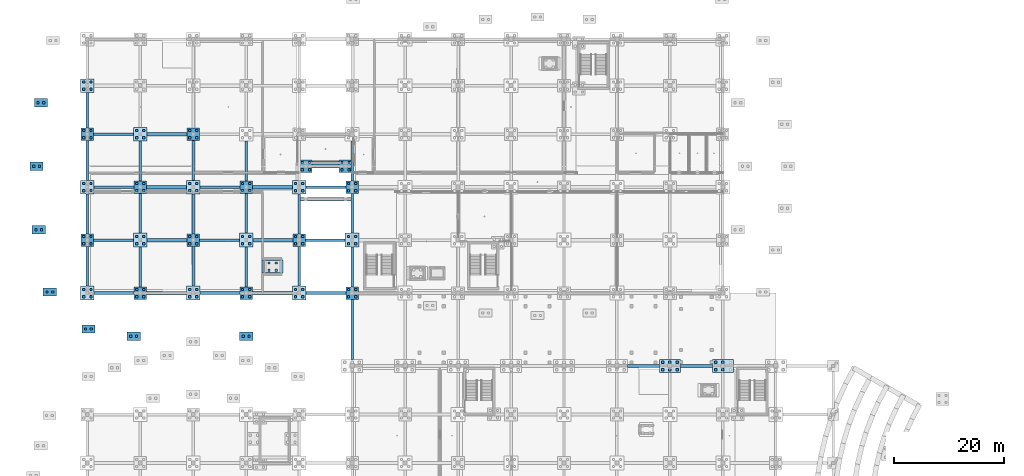
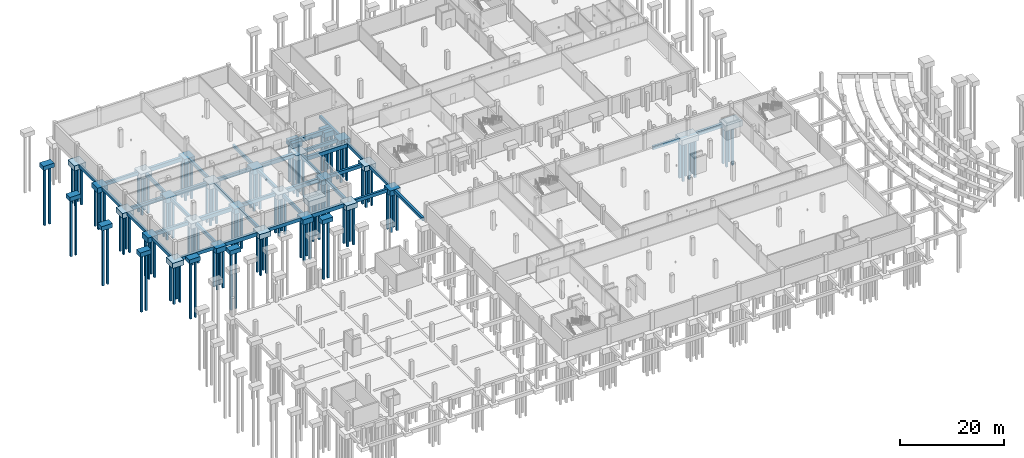
# One storey, part 5 of 31: 124 piles, 75 footings.
"""IFC4 building model written with IfcOpenShell, lengths in metres."""

from ifc_helpers import new_model, si_unit, direction, frame, origin, origin_2d, place, context, subcontext, project, spatial, rectangle, extrude, material, layer, layer_set, material_profile, profile_set, type_object, element, save


model = new_model("IFC4")

# Units and contexts
model_context = context("Model", 3, precision=1e-05, world=origin(), true_north=direction((0.0, 1.0)))
body_context = subcontext(model_context, "Body", "Model", "MODEL_VIEW")
ifc_project = project(units=[si_unit("LENGTHUNIT", "METRE"), si_unit("AREAUNIT", "SQUARE_METRE"), si_unit("VOLUMEUNIT", "CUBIC_METRE"), si_unit("PLANEANGLEUNIT", "RADIAN"), si_unit("MASSUNIT", "GRAM", prefix="KILO")], contexts=[model_context])

# Site, building, storey
site_placement = place(None, origin())
site = spatial("IfcSite", under=ifc_project, at=site_placement, CompositionType="ELEMENT")
building_placement = place(site_placement, origin())
building = spatial("IfcBuilding", under=site, at=building_placement, Name="Chalmorin Arch Market", CompositionType="ELEMENT")
storey_placement = place(building_placement, frame((0.0, 0.0, -4.199951171875)))
storey = spatial("IfcBuildingStorey", under=building, at=storey_placement, Name="B1", CompositionType="ELEMENT", Elevation=-4.199951171875)

# Piles
ifc_material_1 = material(Name="Precast concrete C50/60", Category="concrete")
ifc_material_profile_1 = material_profile(ifc_material_1, rectangle(XDim=0.406005859375, YDim=0.406005859375, at=origin_2d()), Name="PPC406")
ifc_profile_set_1 = profile_set([ifc_material_profile_1], Name="Precast concrete C50/60")
pile_type_1 = type_object("IfcPileType", Name="DrivenSquarePile-406", PredefinedType="DRIVEN", material=ifc_profile_set_1)
for number, where, z_axis, x_axis, name in (
    (1, (-0.64990234375, 71.35009765625, -1.10009765625), (0.0, 0.0, -1.0), (1.0, 0.0, 0.0), "P-406-025"),
    (2, (0.64990234375, 71.35009765625, -1.10009765625), (0.0, 0.0, -1.0), (1.0, 0.0, 0.0), "P-406-026"),
    (3, (-0.64990234375, 72.64990234375, -1.10009765625), (0.0, 0.0, -1.0), (1.0, 0.0, 0.0), "P-406-027"),
    (4, (0.64990234375, 72.64990234375, -1.10009765625), (0.0, 0.0, -1.0), (1.0, 0.0, 0.0), "P-406-028"),
    (5, (-0.64990234375, 80.949951171875, -1.10009765625), (0.0, 0.0, -1.0), (1.0, 0.0, 0.0), "P-406-029"),
    (6, (0.64990234375, 80.949951171875, -1.10009765625), (0.0, 0.0, -1.0), (1.0, 0.0, 0.0), "P-406-030"),
    (7, (-0.64990234375, 82.25, -1.10009765625), (0.0, 0.0, -1.0), (1.0, 0.0, 0.0), "P-406-031"),
    (8, (0.64990234375, 82.25, -1.10009765625), (0.0, 0.0, -1.0), (1.0, 0.0, 0.0), "P-406-032"),
    (9, (-0.64990234375, 90.550048828125, -1.10009765625), (0.0, 0.0, -1.0), (1.0, 0.0, 0.0), "P-406-033"),
    (10, (0.64990234375, 90.550048828125, -1.10009765625), (0.0, 0.0, -1.0), (1.0, 0.0, 0.0), "P-406-034"),
    (11, (-0.64990234375, 91.85009765625, -1.10009765625), (0.0, 0.0, -1.0), (1.0, 0.0, 0.0), "P-406-035"),
    (12, (0.64990234375, 91.85009765625, -1.10009765625), (0.0, 0.0, -1.0), (1.0, 0.0, 0.0), "P-406-036"),
    (13, (-0.64990234375, 100.14990234375, -1.10009765625), (0.0, 0.0, -1.0), (1.0, 0.0, 0.0), "P-406-037"),
    (14, (0.64990234375, 100.14990234375, -1.10009765625), (0.0, 0.0, -1.0), (1.0, 0.0, 0.0), "P-406-038"),
    (15, (-0.64990234375, 101.449951171875, -1.10009765625), (0.0, 0.0, -1.0), (1.0, 0.0, 0.0), "P-406-039"),
    (16, (0.64990234375, 101.449951171875, -1.10009765625), (0.0, 0.0, -1.0), (1.0, 0.0, 0.0), "P-406-040"),
    (17, (-0.64990234375, 108.949951171875, -1.10009765625), (0.0, 0.0, -1.0), (1.0, 0.0, 0.0), "P-406-041"),
    (18, (0.64990234375, 108.949951171875, -1.10009765625), (0.0, 0.0, -1.0), (1.0, 0.0, 0.0), "P-406-042"),
    (19, (-0.64990234375, 110.25, -1.10009765625), (0.0, 0.0, -1.0), (1.0, 0.0, 0.0), "P-406-043"),
    (20, (0.64990234375, 110.25, -1.10009765625), (0.0, 0.0, -1.0), (1.0, 0.0, 0.0), "P-406-044"),
    (21, (8.949951171875, 71.35009765625, -1.10009765625), (0.0, 0.0, -1.0), (1.0, 0.0, 0.0), "P-406-073"),
    (22, (10.25, 71.35009765625, -1.10009765625), (0.0, 0.0, -1.0), (1.0, 0.0, 0.0), "P-406-074"),
    (23, (8.949951171875, 72.64990234375, -1.10009765625), (0.0, 0.0, -1.0), (1.0, 0.0, 0.0), "P-406-075"),
    (24, (10.25, 72.64990234375, -1.10009765625), (0.0, 0.0, -1.0), (1.0, 0.0, 0.0), "P-406-076"),
    (25, (8.949951171875, 80.949951171875, -1.10009765625), (0.0, 0.0, -1.0), (1.0, 0.0, 0.0), "P-406-077"),
    (26, (10.25, 80.949951171875, -1.10009765625), (0.0, 0.0, -1.0), (1.0, 0.0, 0.0), "P-406-078"),
    (27, (8.949951171875, 82.25, -1.10009765625), (0.0, 0.0, -1.0), (1.0, 0.0, 0.0), "P-406-079"),
    (28, (10.25, 82.25, -1.10009765625), (0.0, 0.0, -1.0), (1.0, 0.0, 0.0), "P-406-080"),
    (29, (8.949951171875, 90.550048828125, -1.10009765625), (0.0, 0.0, -1.0), (1.0, 0.0, 0.0), "P-406-081"),
    (30, (10.25, 90.550048828125, -1.10009765625), (0.0, 0.0, -1.0), (1.0, 0.0, 0.0), "P-406-082"),
    (31, (8.949951171875, 91.85009765625, -1.10009765625), (0.0, 0.0, -1.0), (1.0, 0.0, 0.0), "P-406-083"),
    (32, (10.25, 91.85009765625, -1.10009765625), (0.0, 0.0, -1.0), (1.0, 0.0, 0.0), "P-406-084"),
    (33, (8.949951171875, 100.14990234375, -1.10009765625), (0.0, 0.0, -1.0), (1.0, 0.0, 0.0), "P-406-085"),
    (34, (10.25, 100.14990234375, -1.10009765625), (0.0, 0.0, -1.0), (1.0, 0.0, 0.0), "P-406-086"),
    (35, (8.949951171875, 101.449951171875, -1.10009765625), (0.0, 0.0, -1.0), (1.0, 0.0, 0.0), "P-406-087"),
    (36, (10.25, 101.449951171875, -1.10009765625), (0.0, 0.0, -1.0), (1.0, 0.0, 0.0), "P-406-088"),
    (37, (18.550048828125, 71.35009765625, -1.10009765625), (0.0, 0.0, -1.0), (1.0, 0.0, 0.0), "P-406-121"),
    (38, (19.85009765625, 71.35009765625, -1.10009765625), (0.0, 0.0, -1.0), (1.0, 0.0, 0.0), "P-406-122"),
    (39, (18.550048828125, 72.64990234375, -1.10009765625), (0.0, 0.0, -1.0), (1.0, 0.0, 0.0), "P-406-123"),
    (40, (19.85009765625, 72.64990234375, -1.10009765625), (0.0, 0.0, -1.0), (1.0, 0.0, 0.0), "P-406-124"),
    (41, (18.550048828125, 80.949951171875, -1.10009765625), (0.0, 0.0, -1.0), (1.0, 0.0, 0.0), "P-406-125"),
    (42, (19.85009765625, 80.949951171875, -1.10009765625), (0.0, 0.0, -1.0), (1.0, 0.0, 0.0), "P-406-126"),
    (43, (18.550048828125, 82.25, -1.10009765625), (0.0, 0.0, -1.0), (1.0, 0.0, 0.0), "P-406-127"),
    (44, (19.85009765625, 82.25, -1.10009765625), (0.0, 0.0, -1.0), (1.0, 0.0, 0.0), "P-406-128"),
    (45, (18.550048828125, 90.550048828125, -1.10009765625), (0.0, 0.0, -1.0), (1.0, 0.0, 0.0), "P-406-129"),
    (46, (19.85009765625, 90.550048828125, -1.10009765625), (0.0, 0.0, -1.0), (1.0, 0.0, 0.0), "P-406-130"),
    (47, (18.550048828125, 91.85009765625, -1.10009765625), (0.0, 0.0, -1.0), (1.0, 0.0, 0.0), "P-406-131"),
    (48, (19.85009765625, 91.85009765625, -1.10009765625), (0.0, 0.0, -1.0), (1.0, 0.0, 0.0), "P-406-132"),
    (49, (18.550048828125, 100.14990234375, -1.10009765625), (0.0, 0.0, -1.0), (1.0, 0.0, 0.0), "P-406-133"),
    (50, (19.85009765625, 100.14990234375, -1.10009765625), (0.0, 0.0, -1.0), (1.0, 0.0, 0.0), "P-406-134"),
    (51, (18.550048828125, 101.449951171875, -1.10009765625), (0.0, 0.0, -1.0), (1.0, 0.0, 0.0), "P-406-135"),
    (52, (19.85009765625, 101.449951171875, -1.10009765625), (0.0, 0.0, -1.0), (1.0, 0.0, 0.0), "P-406-136"),
    (53, (28.14990234375, 71.35009765625, -1.10009765625), (0.0, 0.0, -1.0), (1.0, 0.0, 0.0), "P-406-169"),
    (54, (29.449951171875, 71.35009765625, -1.10009765625), (0.0, 0.0, -1.0), (1.0, 0.0, 0.0), "P-406-170"),
    (55, (28.14990234375, 72.64990234375, -1.10009765625), (0.0, 0.0, -1.0), (1.0, 0.0, 0.0), "P-406-171"),
    (56, (29.449951171875, 72.64990234375, -1.10009765625), (0.0, 0.0, -1.0), (1.0, 0.0, 0.0), "P-406-172"),
    (57, (28.14990234375, 80.949951171875, -1.10009765625), (0.0, 0.0, -1.0), (1.0, 0.0, 0.0), "P-406-173"),
    (58, (29.449951171875, 80.949951171875, -1.10009765625), (0.0, 0.0, -1.0), (1.0, 0.0, 0.0), "P-406-174"),
    (59, (28.14990234375, 82.25, -1.10009765625), (0.0, 0.0, -1.0), (1.0, 0.0, 0.0), "P-406-175"),
    (60, (29.449951171875, 82.25, -1.10009765625), (0.0, 0.0, -1.0), (1.0, 0.0, 0.0), "P-406-176"),
    (61, (28.14990234375, 90.550048828125, -1.10009765625), (0.0, 0.0, -1.0), (1.0, 0.0, 0.0), "P-406-177"),
    (62, (29.449951171875, 90.550048828125, -1.10009765625), (0.0, 0.0, -1.0), (1.0, 0.0, 0.0), "P-406-178"),
    (63, (28.14990234375, 91.85009765625, -1.10009765625), (0.0, 0.0, -1.0), (1.0, 0.0, 0.0), "P-406-179"),
    (64, (29.449951171875, 91.85009765625, -1.10009765625), (0.0, 0.0, -1.0), (1.0, 0.0, 0.0), "P-406-180"),
    (65, (37.75, 71.35009765625, -1.10009765625), (0.0, 0.0, -1.0), (1.0, 0.0, 0.0), "P-406-217"),
    (66, (39.050048828125, 71.35009765625, -1.10009765625), (0.0, 0.0, -1.0), (1.0, 0.0, 0.0), "P-406-218"),
    (67, (37.75, 72.64990234375, -1.10009765625), (0.0, 0.0, -1.0), (1.0, 0.0, 0.0), "P-406-219"),
    (68, (39.050048828125, 72.64990234375, -1.10009765625), (0.0, 0.0, -1.0), (1.0, 0.0, 0.0), "P-406-220"),
    (69, (37.75, 80.949951171875, -1.10009765625), (0.0, 0.0, -1.0), (1.0, 0.0, 0.0), "P-406-221"),
    (70, (39.050048828125, 80.949951171875, -1.10009765625), (0.0, 0.0, -1.0), (1.0, 0.0, 0.0), "P-406-222"),
    (71, (37.75, 82.25, -1.10009765625), (0.0, 0.0, -1.0), (1.0, 0.0, 0.0), "P-406-223"),
    (72, (39.050048828125, 82.25, -1.10009765625), (0.0, 0.0, -1.0), (1.0, 0.0, 0.0), "P-406-224"),
    (73, (37.75, 90.550048828125, -1.10009765625), (0.0, 0.0, -1.0), (1.0, 0.0, 0.0), "P-406-225"),
    (74, (39.050048828125, 90.550048828125, -1.10009765625), (0.0, 0.0, -1.0), (1.0, 0.0, 0.0), "P-406-226"),
    (75, (37.75, 91.85009765625, -1.10009765625), (0.0, 0.0, -1.0), (1.0, 0.0, 0.0), "P-406-227"),
    (76, (39.050048828125, 91.85009765625, -1.10009765625), (0.0, 0.0, -1.0), (1.0, 0.0, 0.0), "P-406-228"),
    (77, (47.35009765625, 71.35009765625, -1.10009765625), (0.0, 0.0, -1.0), (1.0, 0.0, 0.0), "P-406-273"),
    (78, (48.64990234375, 71.35009765625, -1.10009765625), (0.0, 0.0, -1.0), (1.0, 0.0, 0.0), "P-406-274"),
    (79, (47.35009765625, 72.64990234375, -1.10009765625), (0.0, 0.0, -1.0), (1.0, 0.0, 0.0), "P-406-275"),
    (80, (48.64990234375, 72.64990234375, -1.10009765625), (0.0, 0.0, -1.0), (1.0, 0.0, 0.0), "P-406-276"),
    (81, (47.35009765625, 80.949951171875, -1.10009765625), (0.0, 0.0, -1.0), (1.0, 0.0, 0.0), "P-406-277"),
    (82, (48.64990234375, 80.949951171875, -1.10009765625), (0.0, 0.0, -1.0), (1.0, 0.0, 0.0), "P-406-278"),
    (83, (47.35009765625, 82.25, -1.10009765625), (0.0, 0.0, -1.0), (1.0, 0.0, 0.0), "P-406-279"),
    (84, (48.64990234375, 82.25, -1.10009765625), (0.0, 0.0, -1.0), (1.0, 0.0, 0.0), "P-406-280"),
    (85, (47.35009765625, 90.550048828125, -1.10009765625), (0.0, 0.0, -1.0), (1.0, 0.0, 0.0), "P-406-281"),
    (86, (48.64990234375, 90.550048828125, -1.10009765625), (0.0, 0.0, -1.0), (1.0, 0.0, 0.0), "P-406-282"),
    (87, (47.35009765625, 91.85009765625, -1.10009765625), (0.0, 0.0, -1.0), (1.0, 0.0, 0.0), "P-406-283"),
    (88, (48.64990234375, 91.85009765625, -1.10009765625), (0.0, 0.0, -1.0), (1.0, 0.0, 0.0), "P-406-284"),
):
    element("IfcPile", number, at=place(storey_placement, frame(where, z_axis=z_axis, x_axis=x_axis)), inside=storey, type_object=pile_type_1, Name=name, PredefinedType="DRIVEN", context=body_context, shape_type="SweptSolid", body=[
        extrude(rectangle(XDim=0.406005859375, YDim=0.406005859375, at=origin_2d()), origin(), (0.0, 0.0, 1.0), 8.89990234375),
    ])
for number, where, z_axis, x_axis, name in (
    (89, (28.280029296875, 64.199951171875, 3.47998046875), (0.0, 0.0, -1.0), (1.0, 0.0, 0.0), "P-406-825"),
    (90, (29.320068359375, 64.199951171875, 3.47998046875), (0.0, 0.0, -1.0), (1.0, 0.0, 0.0), "P-406-826"),
    (91, (7.8798828125, 64.199951171875, 3.47998046875), (0.0, 0.0, -1.0), (1.0, 0.0, 0.0), "P-406-829"),
    (92, (8.919921875, 64.199951171875, 3.47998046875), (0.0, 0.0, -1.0), (1.0, 0.0, 0.0), "P-406-830"),
    (93, (-0.320068359375, 65.5, 3.47998046875), (0.0, 0.0, -1.0), (1.0, 0.0, 0.0), "P-406-831"),
    (94, (0.719970703125, 65.5, 3.47998046875), (0.0, 0.0, -1.0), (1.0, 0.0, 0.0), "P-406-832"),
    (95, (-7.320068359375, 72.199951171875, 3.47998046875), (0.0, 0.0, -1.0), (1.0, 0.0, 0.0), "P-406-833"),
    (96, (-6.280029296875, 72.199951171875, 3.47998046875), (0.0, 0.0, -1.0), (1.0, 0.0, 0.0), "P-406-834"),
    (97, (-9.320068359375, 83.5, 3.47998046875), (0.0, 0.0, -1.0), (1.0, 0.0, 0.0), "P-406-835"),
    (98, (-8.280029296875, 83.5, 3.47998046875), (0.0, 0.0, -1.0), (1.0, 0.0, 0.0), "P-406-836"),
    (99, (-9.719970703125, 95.0, 3.47998046875), (0.0, 0.0, -1.0), (1.0, 0.0, 0.0), "P-406-837"),
    (100, (-8.679931640625, 95.0, 3.47998046875), (0.0, 0.0, -1.0), (1.0, 0.0, 0.0), "P-406-838"),
    (101, (-8.919921875, 106.5, 3.47998046875), (0.0, 0.0, -1.0), (1.0, 0.0, 0.0), "P-406-839"),
    (102, (-7.8798828125, 106.5, 3.47998046875), (0.0, 0.0, -1.0), (1.0, 0.0, 0.0), "P-406-840"),
):
    element("IfcPile", number, at=place(storey_placement, frame(where, z_axis=z_axis, x_axis=x_axis)), inside=storey, type_object=pile_type_1, Name=name, PredefinedType="DRIVEN", context=body_context, shape_type="SweptSolid", body=[
        extrude(rectangle(XDim=0.406005859375, YDim=0.406005859375, at=origin_2d()), origin(), (0.0, 0.0, 1.0), 13.47998046875),
    ])
for number, where, z_axis, x_axis, name in (
    (103, (38.949951171875, 94.35009765625, -1.10009765625), (0.0, 0.0, -1.0), (1.0, 0.0, 0.0), "P-406-913"),
    (104, (40.25, 94.35009765625, -1.10009765625), (0.0, 0.0, -1.0), (1.0, 0.0, 0.0), "P-406-914"),
    (105, (38.949951171875, 95.64990234375, -1.10009765625), (0.0, 0.0, -1.0), (1.0, 0.0, 0.0), "P-406-915"),
    (106, (40.25, 95.64990234375, -1.10009765625), (0.0, 0.0, -1.0), (1.0, 0.0, 0.0), "P-406-916"),
    (107, (46.14990234375, 94.35009765625, -1.10009765625), (0.0, 0.0, -1.0), (1.0, 0.0, 0.0), "P-406-917"),
    (108, (47.449951171875, 94.35009765625, -1.10009765625), (0.0, 0.0, -1.0), (1.0, 0.0, 0.0), "P-406-918"),
    (109, (46.14990234375, 95.64990234375, -1.10009765625), (0.0, 0.0, -1.0), (1.0, 0.0, 0.0), "P-406-919"),
    (110, (47.449951171875, 95.64990234375, -1.10009765625), (0.0, 0.0, -1.0), (1.0, 0.0, 0.0), "P-406-920"),
):
    element("IfcPile", number, at=place(storey_placement, frame(where, z_axis=z_axis, x_axis=x_axis)), inside=storey, type_object=pile_type_1, Name=name, PredefinedType="DRIVEN", context=body_context, shape_type="SweptSolid", body=[
        extrude(rectangle(XDim=0.406005859375, YDim=0.406005859375, at=origin_2d()), origin(), (0.0, 0.0, 1.0), 8.89990234375),
    ])
for number, where, z_axis, x_axis, name in (
    (111, (32.949951171875, 76.14990234375, -1.199951171875), (0.0, 0.0, -1.0), (1.0, 0.0, 0.0), "P-406-989"),
    (112, (34.25, 76.14990234375, -1.199951171875), (0.0, 0.0, -1.0), (1.0, 0.0, 0.0), "P-406-990"),
    (113, (32.949951171875, 77.449951171875, -1.199951171875), (0.0, 0.0, -1.0), (1.0, 0.0, 0.0), "P-406-991"),
    (114, (34.25, 77.449951171875, -1.199951171875), (0.0, 0.0, -1.0), (1.0, 0.0, 0.0), "P-406-992"),
):
    element("IfcPile", number, at=place(storey_placement, frame(where, z_axis=z_axis, x_axis=x_axis)), inside=storey, type_object=pile_type_1, Name=name, PredefinedType="DRIVEN", context=body_context, shape_type="SweptSolid", body=[
        extrude(rectangle(XDim=0.406005859375, YDim=0.406005859375, at=origin_2d()), origin(), (0.0, 0.0, 1.0), 8.800048828125),
    ])
ifc_material_profile_2 = material_profile(ifc_material_1, rectangle(XDim=0.45703125, YDim=0.45703125, at=origin_2d()), Name="PPC457")
ifc_profile_set_2 = profile_set([ifc_material_profile_2], Name="Precast concrete C50/60")
pile_type_2 = type_object("IfcPileType", Name="DrivenSquarePile-457", PredefinedType="DRIVEN", material=ifc_profile_set_2)
for number, where, z_axis, x_axis, name in (
    (115, (104.300048828125, 58.14990234375, -1.199951171875), (0.0, 0.0, -1.0), (1.0, 0.0, 0.0), "P-457-603"),
    (116, (105.60009765625, 58.14990234375, -1.199951171875), (0.0, 0.0, -1.0), (1.0, 0.0, 0.0), "P-457-604"),
    (117, (106.89990234375, 58.14990234375, -1.199951171875), (0.0, 0.0, -1.0), (1.0, 0.0, 0.0), "P-457-605"),
    (118, (104.300048828125, 59.449951171875, -1.199951171875), (0.0, 0.0, -1.0), (1.0, 0.0, 0.0), "P-457-606"),
    (119, (105.60009765625, 59.449951171875, -1.199951171875), (0.0, 0.0, -1.0), (1.0, 0.0, 0.0), "P-457-607"),
    (120, (106.89990234375, 59.449951171875, -1.199951171875), (0.0, 0.0, -1.0), (1.0, 0.0, 0.0), "P-457-608"),
    (121, (113.89990234375, 58.14990234375, -1.199951171875), (0.0, 0.0, -1.0), (1.0, 0.0, 0.0), "P-457-659"),
    (122, (115.199951171875, 58.14990234375, -1.199951171875), (0.0, 0.0, -1.0), (1.0, 0.0, 0.0), "P-457-660"),
    (123, (113.89990234375, 59.449951171875, -1.199951171875), (0.0, 0.0, -1.0), (1.0, 0.0, 0.0), "P-457-662"),
    (124, (115.199951171875, 59.449951171875, -1.199951171875), (0.0, 0.0, -1.0), (1.0, 0.0, 0.0), "P-457-663"),
):
    element("IfcPile", number, at=place(storey_placement, frame(where, z_axis=z_axis, x_axis=x_axis)), inside=storey, type_object=pile_type_2, Name=name, PredefinedType="DRIVEN", context=body_context, shape_type="SweptSolid", body=[
        extrude(rectangle(XDim=0.45703125, YDim=0.45703125, at=origin_2d()), origin(), (0.0, 0.0, 1.0), 8.800048828125),
    ])

# Footings
ifc_material_2 = material(Name="Concrete C40/50", Category="concrete")
ifc_layer_1 = layer(ifc_material_2, 0.75)
ifc_layer_set_1 = layer_set([ifc_layer_1], Name="Concrete C40/50")
footing_type_1 = type_object("IfcFootingType", Name="FoundationTieBeam-450x750-L10850", PredefinedType="FOOTING_BEAM", material=ifc_layer_set_1)
footing_1_placement = place(storey_placement, frame((48.0, 65.425048828125, -0.75), z_axis=(0.0, 0.0, 1.0), x_axis=(0.0, 1.0, 0.0)))
element("IfcFooting", 125, at=footing_1_placement, inside=storey, type_object=footing_type_1, Name="FTB-03-240", PredefinedType="FOOTING_BEAM", context=body_context, shape_type="SweptSolid", body=[
    extrude(rectangle(XDim=10.85009765625, YDim=0.449951171875, at=origin_2d()), origin(), (0.0, 0.0, 1.0), 0.75),
])
ifc_layer_2 = layer(ifc_material_2, 0.75)
ifc_layer_set_2 = layer_set([ifc_layer_2], Name="Concrete C40/50")
footing_type_2 = type_object("IfcFootingType", Name="FoundationTieBeam-450x750-L6400", PredefinedType="FOOTING_BEAM", material=ifc_layer_set_2)
footing_2_placement = place(storey_placement, frame((0.0, 105.14990234375, -0.75), z_axis=(0.0, 0.0, 1.0), x_axis=(0.0, 1.0, 0.0)))
element("IfcFooting", 126, at=footing_2_placement, inside=storey, type_object=footing_type_2, Name="FTB-03-187", PredefinedType="FOOTING_BEAM", context=body_context, shape_type="SweptSolid", body=[
    extrude(rectangle(XDim=6.39990234375, YDim=0.449951171875, at=origin_2d()), origin(), (0.0, 0.0, 1.0), 0.75),
])
ifc_layer_3 = layer(ifc_material_2, 0.75)
ifc_layer_set_3 = layer_set([ifc_layer_3], Name="Concrete C40/50")
footing_type_3 = type_object("IfcFootingType", Name="FoundationTieBeam-450x750-L7200", PredefinedType="FOOTING_BEAM", material=ifc_layer_set_3)
for number, where, z_axis, x_axis, name in (
    (127, (0.0, 76.85009765625, -0.75), (0.0, 0.0, 1.0), (0.0, 1.0, 0.0), "FTB-03-184"),
    (128, (0.0, 86.35009765625, -0.75), (0.0, 0.0, 1.0), (0.0, 1.0, 0.0), "FTB-03-185"),
    (129, (0.0, 96.050048828125, -0.75), (0.0, 0.0, 1.0), (0.0, 1.0, 0.0), "FTB-03-186"),
    (130, (9.60009765625, 76.75, -0.75), (0.0, 0.0, 1.0), (0.0, 1.0, 0.0), "FTB-03-195"),
    (131, (9.60009765625, 86.449951171875, -0.75), (0.0, 0.0, 1.0), (0.0, 1.0, 0.0), "FTB-03-196"),
    (132, (9.60009765625, 95.949951171875, -0.75), (0.0, 0.0, 1.0), (0.0, 1.0, 0.0), "FTB-03-197"),
    (133, (19.199951171875, 76.85009765625, -0.75), (0.0, 0.0, 1.0), (0.0, 1.0, 0.0), "FTB-03-206"),
    (134, (19.199951171875, 86.35009765625, -0.75), (0.0, 0.0, 1.0), (0.0, 1.0, 0.0), "FTB-03-207"),
    (135, (19.199951171875, 96.050048828125, -0.75), (0.0, 0.0, 1.0), (0.0, 1.0, 0.0), "FTB-03-208"),
    (136, (28.800048828125, 76.75, -0.75), (0.0, 0.0, 1.0), (0.0, 1.0, 0.0), "FTB-03-217"),
    (137, (28.800048828125, 86.449951171875, -0.75), (0.0, 0.0, 1.0), (0.0, 1.0, 0.0), "FTB-03-218"),
    (138, (28.800048828125, 95.949951171875, -0.75), (0.0, 0.0, 1.0), (0.0, 1.0, 0.0), "FTB-03-219"),
    (139, (38.39990234375, 76.85009765625, -0.75), (0.0, 0.0, 1.0), (0.0, 1.0, 0.0), "FTB-03-228"),
    (140, (38.39990234375, 86.35009765625, -0.75), (0.0, 0.0, 1.0), (0.0, 1.0, 0.0), "FTB-03-229"),
    (141, (48.0, 76.75, -0.75), (0.0, 0.0, 1.0), (0.0, 1.0, 0.0), "FTB-03-241"),
    (142, (48.0, 86.449951171875, -0.75), (0.0, 0.0, 1.0), (0.0, 1.0, 0.0), "FTB-03-242"),
    (143, (48.0, 95.949951171875, -0.75), (0.0, 0.0, 1.0), (0.0, 1.0, 0.0), "FTB-03-243"),
):
    element("IfcFooting", number, at=place(storey_placement, frame(where, z_axis=z_axis, x_axis=x_axis)), inside=storey, type_object=footing_type_3, Name=name, PredefinedType="FOOTING_BEAM", context=body_context, shape_type="SweptSolid", body=[
        extrude(rectangle(XDim=7.199951171875, YDim=0.449951171875, at=origin_2d()), origin(), (0.0, 0.0, 1.0), 0.75),
    ])
ifc_layer_4 = layer(ifc_material_2, 0.800048828125)
ifc_layer_set_4 = layer_set([ifc_layer_4], Name="Concrete C40/50")
footing_type_4 = type_object("IfcFootingType", Name="FoundationTieBeam-500x800-L5800", PredefinedType="FOOTING_BEAM", material=ifc_layer_set_4)
footing_3_placement = place(storey_placement, frame((100.800048828125, 58.800048828125, -0.80029296875), z_axis=(0.0, 0.0, 1.0), x_axis=(1.0, 0.0, 0.0)))
element("IfcFooting", 144, at=footing_3_placement, inside=storey, type_object=footing_type_4, Name="FTB-02-103", PredefinedType="FOOTING_BEAM", context=body_context, shape_type="SweptSolid", body=[
    extrude(rectangle(XDim=5.800048828125, YDim=0.5, at=origin_2d()), origin(), (0.0, 0.0, 1.0), 0.800048828125),
])
ifc_layer_5 = layer(ifc_material_2, 0.800048828125)
ifc_layer_set_5 = layer_set([ifc_layer_5], Name="Concrete C40/50")
footing_type_5 = type_object("IfcFootingType", Name="FoundationTieBeam-500x800-L7200", PredefinedType="FOOTING_BEAM", material=ifc_layer_set_5)
for number, where, z_axis, x_axis, name in (
    (145, (4.85009765625, 72.0, -0.80029296875), (0.0, 0.0, 1.0), (1.0, 0.0, 0.0), "FTB-02-107"),
    (146, (24.050048828125, 72.0, -0.80029296875), (0.0, 0.0, 1.0), (1.0, 0.0, 0.0), "FTB-02-109"),
    (147, (43.25, 72.0, -0.80029296875), (0.0, 0.0, 1.0), (1.0, 0.0, 0.0), "FTB-02-111"),
    (148, (4.75, 81.60009765625, -0.80029296875), (0.0, 0.0, 1.0), (1.0, 0.0, 0.0), "FTB-02-119"),
    (149, (23.949951171875, 81.60009765625, -0.80029296875), (0.0, 0.0, 1.0), (1.0, 0.0, 0.0), "FTB-02-121"),
    (150, (43.14990234375, 81.60009765625, -0.80029296875), (0.0, 0.0, 1.0), (1.0, 0.0, 0.0), "FTB-02-123"),
    (151, (4.85009765625, 91.199951171875, -0.80029296875), (0.0, 0.0, 1.0), (1.0, 0.0, 0.0), "FTB-02-131"),
    (152, (24.050048828125, 91.199951171875, -0.80029296875), (0.0, 0.0, 1.0), (1.0, 0.0, 0.0), "FTB-02-133"),
    (153, (43.25, 91.199951171875, -0.80029296875), (0.0, 0.0, 1.0), (1.0, 0.0, 0.0), "FTB-02-135"),
    (154, (4.75, 100.800048828125, -0.80029296875), (0.0, 0.0, 1.0), (1.0, 0.0, 0.0), "FTB-02-143"),
):
    element("IfcFooting", number, at=place(storey_placement, frame(where, z_axis=z_axis, x_axis=x_axis)), inside=storey, type_object=footing_type_5, Name=name, PredefinedType="FOOTING_BEAM", context=body_context, shape_type="SweptSolid", body=[
        extrude(rectangle(XDim=7.199951171875, YDim=0.5, at=origin_2d()), origin(), (0.0, 0.0, 1.0), 0.800048828125),
    ])
ifc_layer_6 = layer(ifc_material_2, 0.89990234375)
ifc_layer_set_6 = layer_set([ifc_layer_6], Name="Concrete C40/50")
footing_type_6 = type_object("IfcFootingType", Name="FoundationTieBeam-600x900", PredefinedType="FOOTING_BEAM", material=ifc_layer_set_6)
footing_4_placement = place(storey_placement, frame((43.199951171875, 95.580078125, -1.5), z_axis=(0.0, 0.0, 1.0), x_axis=(1.0, 0.0, 0.0)))
element("IfcFooting", 155, at=footing_4_placement, inside=storey, type_object=footing_type_6, Name="FTB-TUN1", PredefinedType="FOOTING_BEAM", context=body_context, shape_type="SweptSolid", body=[
    extrude(rectangle(XDim=7.5, YDim=0.699951171875, at=origin_2d()), origin(), (0.0, 0.0, 1.0), 0.89990234375),
])
ifc_layer_7 = layer(ifc_material_2, 0.89990234375)
ifc_layer_set_7 = layer_set([ifc_layer_7], Name="Concrete C40/50")
footing_type_7 = type_object("IfcFootingType", Name="FoundationTieBeam-600x900-L5800", PredefinedType="FOOTING_BEAM", material=ifc_layer_set_7)
footing_5_placement = place(storey_placement, frame((110.39990234375, 58.800048828125, -0.89990234375), z_axis=(0.0, 0.0, 1.0), x_axis=(1.0, 0.0, 0.0)))
element("IfcFooting", 156, at=footing_5_placement, inside=storey, type_object=footing_type_7, Name="FTB-01-104", PredefinedType="FOOTING_BEAM", context=body_context, shape_type="SweptSolid", body=[
    extrude(rectangle(XDim=5.800048828125, YDim=0.60009765625, at=origin_2d()), origin(), (0.0, 0.0, 1.0), 0.89990234375),
])
ifc_layer_8 = layer(ifc_material_2, 0.89990234375)
ifc_layer_set_8 = layer_set([ifc_layer_8], Name="Concrete C40/50")
footing_type_8 = type_object("IfcFootingType", Name="FoundationTieBeam-600x900-L7200", PredefinedType="FOOTING_BEAM", material=ifc_layer_set_8)
for number, where, z_axis, x_axis, name in (
    (157, (14.35009765625, 72.0, -0.89990234375), (0.0, 0.0, 1.0), (1.0, 0.0, 0.0), "FTB-01-108"),
    (158, (33.550048828125, 72.0, -0.89990234375), (0.0, 0.0, 1.0), (1.0, 0.0, 0.0), "FTB-01-110"),
    (159, (14.449951171875, 81.60009765625, -0.89990234375), (0.0, 0.0, 1.0), (1.0, 0.0, 0.0), "FTB-01-120"),
    (160, (33.64990234375, 81.60009765625, -0.89990234375), (0.0, 0.0, 1.0), (1.0, 0.0, 0.0), "FTB-01-122"),
    (161, (14.35009765625, 91.199951171875, -0.89990234375), (0.0, 0.0, 1.0), (1.0, 0.0, 0.0), "FTB-01-132"),
    (162, (33.550048828125, 91.199951171875, -0.89990234375), (0.0, 0.0, 1.0), (1.0, 0.0, 0.0), "FTB-01-134"),
    (163, (14.449951171875, 100.800048828125, -0.89990234375), (0.0, 0.0, 1.0), (1.0, 0.0, 0.0), "FTB-01-144"),
):
    element("IfcFooting", number, at=place(storey_placement, frame(where, z_axis=z_axis, x_axis=x_axis)), inside=storey, type_object=footing_type_8, Name=name, PredefinedType="FOOTING_BEAM", context=body_context, shape_type="SweptSolid", body=[
        extrude(rectangle(XDim=7.199951171875, YDim=0.60009765625, at=origin_2d()), origin(), (0.0, 0.0, 1.0), 0.89990234375),
    ])
ifc_layer_9 = layer(ifc_material_2, 0.89990234375)
ifc_layer_set_9 = layer_set([ifc_layer_9], Name="Concrete C40/50")
footing_type_9 = type_object("IfcFootingType", Name="FoundationTieBeam-600x900-L9600", PredefinedType="FOOTING_BEAM", material=ifc_layer_set_9)
for number, where, z_axis, x_axis, name in (
    (164, (43.199951171875, 89.0, -0.89990234375), (0.0, 0.0, 1.0), (1.0, 0.0, 0.0), "FTB-01-350"),
    (165, (43.199951171875, 95.0, -0.89990234375), (0.0, 0.0, 1.0), (1.0, 0.0, 0.0), "FTB-01-351"),
):
    element("IfcFooting", number, at=place(storey_placement, frame(where, z_axis=z_axis, x_axis=x_axis)), inside=storey, type_object=footing_type_9, Name=name, PredefinedType="FOOTING_BEAM", context=body_context, shape_type="SweptSolid", body=[
        extrude(rectangle(XDim=9.60009765625, YDim=0.60009765625, at=origin_2d()), origin(), (0.0, 0.0, 1.0), 0.89990234375),
    ])
ifc_layer_10 = layer(ifc_material_2, 1.199951171875)
ifc_layer_set_10 = layer_set([ifc_layer_10], Name="Concrete C40/50")
footing_type_10 = type_object("IfcFootingType", Name="MultiPileCap-2300x2300x1200", PredefinedType="PILE_CAP", material=ifc_layer_set_10)
for number, where, z_axis, x_axis, name in (
    (166, (0.0, 81.60009765625, -1.2001953125), (0.0, 0.0, 1.0), (1.0, 0.0, 0.0), "PC-02-009"),
    (167, (0.0, 100.800048828125, -1.2001953125), (0.0, 0.0, 1.0), (1.0, 0.0, 0.0), "PC-02-011"),
    (168, (9.60009765625, 72.0, -1.2001953125), (0.0, 0.0, 1.0), (1.0, 0.0, 0.0), "PC-02-021"),
    (169, (9.60009765625, 91.199951171875, -1.2001953125), (0.0, 0.0, 1.0), (1.0, 0.0, 0.0), "PC-02-023"),
    (170, (19.199951171875, 81.60009765625, -1.2001953125), (0.0, 0.0, 1.0), (1.0, 0.0, 0.0), "PC-02-035"),
    (171, (19.199951171875, 100.800048828125, -1.2001953125), (0.0, 0.0, 1.0), (1.0, 0.0, 0.0), "PC-02-037"),
    (172, (28.800048828125, 72.0, -1.2001953125), (0.0, 0.0, 1.0), (1.0, 0.0, 0.0), "PC-02-047"),
    (173, (28.800048828125, 91.199951171875, -1.2001953125), (0.0, 0.0, 1.0), (1.0, 0.0, 0.0), "PC-02-049"),
    (174, (38.39990234375, 81.60009765625, -1.2001953125), (0.0, 0.0, 1.0), (1.0, 0.0, 0.0), "PC-02-061"),
    (175, (48.0, 72.0, -1.2001953125), (0.0, 0.0, 1.0), (1.0, 0.0, 0.0), "PC-02-074"),
    (176, (48.0, 91.199951171875, -1.2001953125), (0.0, 0.0, 1.0), (1.0, 0.0, 0.0), "PC-02-076"),
    (177, (39.60009765625, 95.0, -1.2001953125), (0.0, 0.0, 1.0), (1.0, 0.0, 0.0), "PC-02-268"),
    (178, (46.800048828125, 95.0, -1.2001953125), (0.0, 0.0, 1.0), (1.0, 0.0, 0.0), "PC-02-269"),
):
    element("IfcFooting", number, at=place(storey_placement, frame(where, z_axis=z_axis, x_axis=x_axis)), inside=storey, type_object=footing_type_10, Name=name, PredefinedType="PILE_CAP", context=body_context, shape_type="SweptSolid", body=[
        extrude(rectangle(XDim=2.300048828125, YDim=2.300048828125, at=origin_2d()), origin(), (0.0, 0.0, 1.0), 1.199951171875),
    ])
ifc_layer_11 = layer(ifc_material_2, 1.0)
ifc_layer_set_11 = layer_set([ifc_layer_11], Name="Concrete C40/50")
footing_type_11 = type_object("IfcFootingType", Name="MultiPileCap-2400x1500x1000", PredefinedType="PILE_CAP", material=ifc_layer_set_11)
for number, where, z_axis, x_axis, name in (
    (179, (28.800048828125, 64.199951171875, 3.3798828125), (0.0, 0.0, 1.0), (1.0, 0.0, 0.0), "PC-05-224"),
    (180, (8.39990234375, 64.199951171875, 3.3798828125), (0.0, 0.0, 1.0), (1.0, 0.0, 0.0), "PC-05-226"),
    (181, (0.199951171875, 65.5, 3.3798828125), (0.0, 0.0, 1.0), (1.0, 0.0, 0.0), "PC-05-227"),
    (182, (-6.800048828125, 72.199951171875, 3.3798828125), (0.0, 0.0, 1.0), (1.0, 0.0, 0.0), "PC-05-228"),
    (183, (-8.800048828125, 83.5, 3.3798828125), (0.0, 0.0, 1.0), (1.0, 0.0, 0.0), "PC-05-229"),
    (184, (-9.199951171875, 95.0, 3.3798828125), (0.0, 0.0, 1.0), (1.0, 0.0, 0.0), "PC-05-230"),
    (185, (-8.39990234375, 106.5, 3.3798828125), (0.0, 0.0, 1.0), (1.0, 0.0, 0.0), "PC-05-231"),
):
    element("IfcFooting", number, at=place(storey_placement, frame(where, z_axis=z_axis, x_axis=x_axis)), inside=storey, type_object=footing_type_11, Name=name, PredefinedType="PILE_CAP", context=body_context, shape_type="SweptSolid", body=[
        extrude(rectangle(XDim=2.39990234375, YDim=1.5, at=origin_2d()), origin(), (0.0, 0.0, 1.0), 1.0),
    ])
ifc_layer_12 = layer(ifc_material_2, 1.199951171875)
ifc_layer_set_12 = layer_set([ifc_layer_12], Name="Concrete C40/50")
footing_type_12 = type_object("IfcFootingType", Name="MultiPileCap-2500x2500x1200", PredefinedType="PILE_CAP", material=ifc_layer_set_12)
for number, where, z_axis, x_axis, name in (
    (186, (0.0, 72.0, -1.2001953125), (0.0, 0.0, 1.0), (1.0, 0.0, 0.0), "PC-01-008"),
    (187, (0.0, 91.199951171875, -1.2001953125), (0.0, 0.0, 1.0), (1.0, 0.0, 0.0), "PC-01-010"),
    (188, (0.0, 109.60009765625, -1.2001953125), (0.0, 0.0, 1.0), (1.0, 0.0, 0.0), "PC-01-012"),
    (189, (9.60009765625, 81.60009765625, -1.2001953125), (0.0, 0.0, 1.0), (1.0, 0.0, 0.0), "PC-01-022"),
    (190, (9.60009765625, 100.800048828125, -1.2001953125), (0.0, 0.0, 1.0), (1.0, 0.0, 0.0), "PC-01-024"),
    (191, (19.199951171875, 72.0, -1.2001953125), (0.0, 0.0, 1.0), (1.0, 0.0, 0.0), "PC-01-034"),
    (192, (19.199951171875, 91.199951171875, -1.2001953125), (0.0, 0.0, 1.0), (1.0, 0.0, 0.0), "PC-01-036"),
    (193, (28.800048828125, 81.60009765625, -1.2001953125), (0.0, 0.0, 1.0), (1.0, 0.0, 0.0), "PC-01-048"),
    (194, (38.39990234375, 72.0, -1.2001953125), (0.0, 0.0, 1.0), (1.0, 0.0, 0.0), "PC-01-060"),
    (195, (38.39990234375, 91.199951171875, -1.2001953125), (0.0, 0.0, 1.0), (1.0, 0.0, 0.0), "PC-01-062"),
    (196, (48.0, 81.60009765625, -1.2001953125), (0.0, 0.0, 1.0), (1.0, 0.0, 0.0), "PC-01-075"),
):
    element("IfcFooting", number, at=place(storey_placement, frame(where, z_axis=z_axis, x_axis=x_axis)), inside=storey, type_object=footing_type_12, Name=name, PredefinedType="PILE_CAP", context=body_context, shape_type="SweptSolid", body=[
        extrude(rectangle(XDim=2.5, YDim=2.5, at=origin_2d()), origin(), (0.0, 0.0, 1.0), 1.199951171875),
    ])
ifc_layer_13 = layer(ifc_material_2, 1.300048828125)
ifc_layer_set_13 = layer_set([ifc_layer_13], Name="Concrete C40/50")
footing_type_13 = type_object("IfcFootingType", Name="MultiPileCap-3800x2400x1300", PredefinedType="PILE_CAP", material=ifc_layer_set_13)
for number, where, z_axis, x_axis, name in (
    (197, (105.60009765625, 58.800048828125, -1.30029296875), (0.0, 0.0, 1.0), (1.0, 0.0, 0.0), "PC-06-157"),
    (198, (115.199951171875, 58.800048828125, -1.30029296875), (0.0, 0.0, 1.0), (1.0, 0.0, 0.0), "PC-06-171"),
    (199, (33.60009765625, 76.800048828125, -1.30029296875), (0.0, 0.0, 1.0), (1.0, 0.0, 0.0), "PC-06-287"),
):
    element("IfcFooting", number, at=place(storey_placement, frame(where, z_axis=z_axis, x_axis=x_axis)), inside=storey, type_object=footing_type_13, Name=name, PredefinedType="PILE_CAP", context=body_context, shape_type="SweptSolid", body=[
        extrude(rectangle(XDim=3.800048828125, YDim=2.39990234375, at=origin_2d()), origin(), (0.0, 0.0, 1.0), 1.300048828125),
    ])

save(model, "model.ifc")
